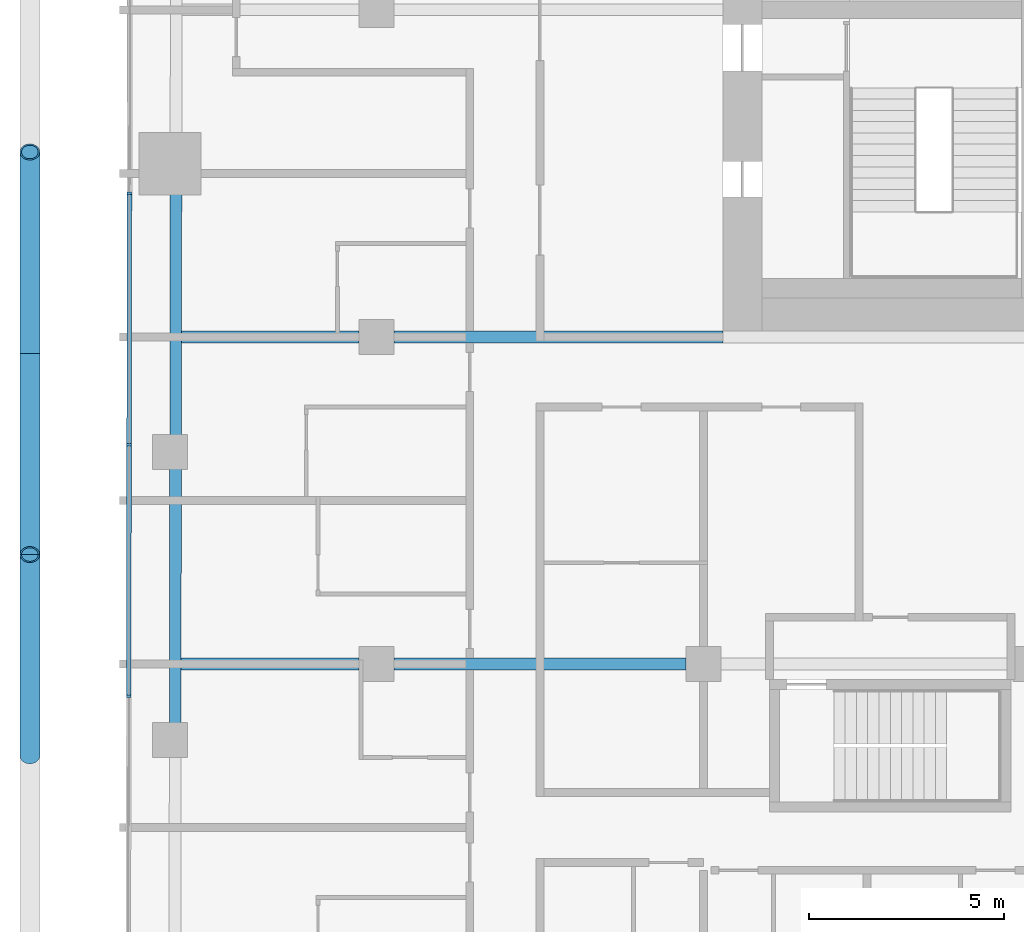
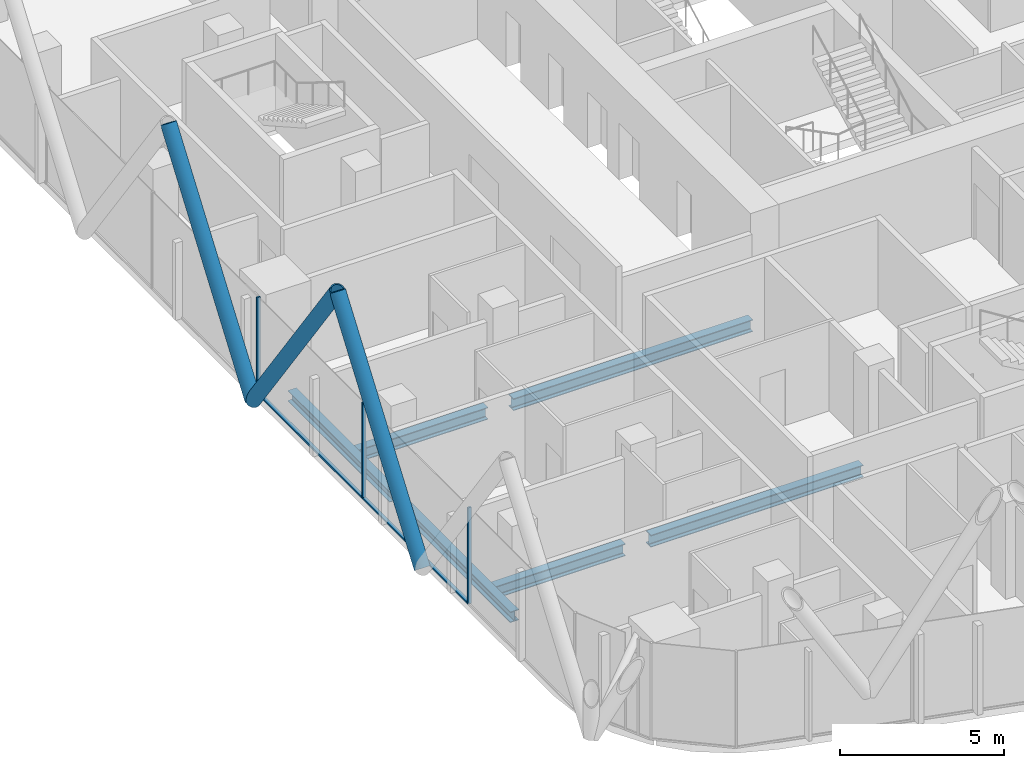
# One storey, part 4 of 33: 8 members, 6 beams, 1 element without a shape of its own.
"""IFC4 building model written with IfcOpenShell, lengths in metres."""

from ifc_helpers import new_model, si_unit, direction, frame, origin, origin_2d, place, context, subcontext, project, spatial, rectangle, hollow_circle, i_section, extrude, material, layer, layer_set, material_profile, profile_set, type_object, element, aggregate, save


model = new_model("IFC4")

# Units and contexts
model_context = context("Model", 3, precision=1e-05, world=origin(), true_north=direction((0.0, 1.0)))
body_context = subcontext(model_context, "Body", "Model", "MODEL_VIEW")
ifc_project = project(units=[si_unit("LENGTHUNIT", "METRE"), si_unit("AREAUNIT", "SQUARE_METRE"), si_unit("VOLUMEUNIT", "CUBIC_METRE"), si_unit("PLANEANGLEUNIT", "RADIAN"), si_unit("MASSUNIT", "GRAM", prefix="KILO")], contexts=[model_context])

# Site, building, storey
site_placement = place(None, origin())
site = spatial("IfcSite", under=ifc_project, at=site_placement, CompositionType="ELEMENT")
building_placement = place(site_placement, origin())
building = spatial("IfcBuilding", under=site, at=building_placement, Name="Marenta Gate Hotel Tower", CompositionType="ELEMENT")
storey_placement = place(building_placement, frame((0.0, 0.0, 108.5)))
storey = spatial("IfcBuildingStorey", under=building, at=storey_placement, Name="L23", CompositionType="ELEMENT", Elevation=108.5)

# Members
ifc_material_1 = material(Name="Steel S355J2W", Category="steel")
ifc_material_profile_1 = material_profile(ifc_material_1, hollow_circle(Radius=0.25390625, WallThickness=0.0400390625, at=origin_2d()), Name="CHS 508x40")
ifc_profile_set_1 = profile_set([ifc_material_profile_1], Name="Steel S355J2W")
member_type_1 = type_object("IfcMemberType", Name="Diagrid diagonal Z2 CHS 508x40", PredefinedType="BRACE", material=ifc_profile_set_1)
for number, where, z_axis, x_axis, name in (
    (1, (-29.89990234375, -10.760009765625, 3.139892578125), (0.0, 0.583247791947, 0.812294289767), (-1.0, 0.0, 0.0), "L23-DG-27"),
    (2, (-29.89990234375, -0.420166015625, 3.139892578125), (0.0, -0.583247791947, 0.812294289767), (1.0, 0.0, 0.0), "L23-DG-28"),
):
    element("IfcMember", number, at=place(storey_placement, frame(where, z_axis=z_axis, x_axis=x_axis)), inside=storey, type_object=member_type_1, Name=name, PredefinedType="BRACE", context=body_context, shape_type="SweptSolid", body=[
        extrude(hollow_circle(Radius=0.25390625, WallThickness=0.0400390625, at=origin_2d()), origin(), (0.0, 0.0, 1.0), 8.864013671875),
    ])
member_1_placement = place(storey_placement, frame((-29.89990234375, -0.420166015625, 3.139892578125), z_axis=(0.0, 0.583265964901, 0.81228124082), x_axis=(-1.0, 0.0, 0.0)))
element("IfcMember", 3, at=member_1_placement, inside=storey, type_object=member_type_1, Name="L23-DG-29", PredefinedType="BRACE", context=body_context, shape_type="SweptSolid", body=[
    extrude(hollow_circle(Radius=0.25390625, WallThickness=0.0400390625, at=origin_2d()), origin(), (0.0, 0.0, 1.0), 8.8642578125),
])

# Beams
ifc_material_2 = material(Name="Steel S355", Category="steel")
ifc_material_profile_2 = material_profile(ifc_material_2, i_section(OverallWidth=0.300048828125, OverallDepth=0.39990234375, WebThickness=0.013427734375, FlangeThickness=0.02392578125, FilletRadius=0.027099609375, at=origin_2d()), Name="HEB 400")
ifc_profile_set_2 = profile_set([ifc_material_profile_2], Name="Steel S355")
beam_type_1 = type_object("IfcBeamType", Name="Edge beam HEB 400", PredefinedType="SPANDREL", material=ifc_profile_set_2)
beam_1_placement = place(storey_placement, frame((-26.167236328125, -9.94189453125, -0.4599609375), z_axis=(0.001372605919, 0.999999057976, 0.0), x_axis=(-0.999999057976, 0.001372605919, 0.0)))
element("IfcBeam", 4, at=beam_1_placement, inside=storey, type_object=beam_type_1, Name="L23-EB-6", PredefinedType="SPANDREL", context=body_context, shape_type="SweptSolid", body=[
    extrude(i_section(OverallWidth=0.300048828125, OverallDepth=0.39990234375, WebThickness=0.013427734375, FlangeThickness=0.02392578125, FilletRadius=0.027099609375, at=origin_2d()), origin(), (0.0, 0.0, 1.0), 6.5810546875),
])
beam_2_placement = place(storey_placement, frame((-26.156982421875, -2.541015625, -0.4599609375), z_axis=(0.001371364591, 0.999999059679, 0.0), x_axis=(-0.999999059679, 0.001371364591, 0.0)))
element("IfcBeam", 5, at=beam_2_placement, inside=storey, type_object=beam_type_1, Name="L23-EB-7", PredefinedType="SPANDREL", context=body_context, shape_type="SweptSolid", body=[
    extrude(i_section(OverallWidth=0.300048828125, OverallDepth=0.39990234375, WebThickness=0.013427734375, FlangeThickness=0.02392578125, FilletRadius=0.027099609375, at=origin_2d()), origin(), (0.0, 0.0, 1.0), 6.23095703125),
])
ifc_material_3 = material(Name="Steel S355", Category="steel")
ifc_material_profile_3 = material_profile(ifc_material_3, i_section(OverallWidth=0.300048828125, OverallDepth=0.449951171875, WebThickness=0.013916015625, FlangeThickness=0.02587890625, FilletRadius=0.027099609375, at=origin_2d()), Name="HEB 450")
ifc_profile_set_3 = profile_set([ifc_material_profile_3], Name="Steel S355")
beam_type_2 = type_object("IfcBeamType", Name="Girder HEB 450", PredefinedType="BEAM", material=ifc_profile_set_3)
beam_3_placement = place(storey_placement, frame((-26.01513671875, -8.39990234375, -0.485107421875), z_axis=(1.0, 0.0, 0.0), x_axis=(0.0, 1.0, 0.0)))
element("IfcBeam", 6, at=beam_3_placement, inside=storey, type_object=beam_type_2, Name="L23-GD-8", PredefinedType="BEAM", context=body_context, shape_type="SweptSolid", body=[
    extrude(i_section(OverallWidth=0.300048828125, OverallDepth=0.449951171875, WebThickness=0.013916015625, FlangeThickness=0.02587890625, FilletRadius=0.027099609375, at=origin_2d()), origin(), (0.0, 0.0, 1.0), 4.565185546875),
])
beam_4_placement = place(storey_placement, frame((-20.550048828125, -8.39990234375, -0.485107421875), z_axis=(1.0, 0.0, 0.0), x_axis=(0.0, 1.0, 0.0)))
element("IfcBeam", 7, at=beam_4_placement, inside=storey, type_object=beam_type_2, Name="L23-GD-9", PredefinedType="BEAM", context=body_context, shape_type="SweptSolid", body=[
    extrude(i_section(OverallWidth=0.300048828125, OverallDepth=0.449951171875, WebThickness=0.013916015625, FlangeThickness=0.02587890625, FilletRadius=0.027099609375, at=origin_2d()), origin(), (0.0, 0.0, 1.0), 7.5),
])
beam_5_placement = place(storey_placement, frame((-26.003662109375, 0.0, -0.485107421875), z_axis=(1.0, 0.0, 0.0), x_axis=(0.0, 1.0, 0.0)))
element("IfcBeam", 8, at=beam_5_placement, inside=storey, type_object=beam_type_2, Name="L23-GD-15", PredefinedType="BEAM", context=body_context, shape_type="SweptSolid", body=[
    extrude(i_section(OverallWidth=0.300048828125, OverallDepth=0.449951171875, WebThickness=0.013916015625, FlangeThickness=0.02587890625, FilletRadius=0.027099609375, at=origin_2d()), origin(), (0.0, 0.0, 1.0), 4.5537109375),
])
beam_6_placement = place(storey_placement, frame((-20.550048828125, 0.0, -0.485107421875), z_axis=(1.0, 0.0, 0.0), x_axis=(0.0, 1.0, 0.0)))
element("IfcBeam", 9, at=beam_6_placement, inside=storey, type_object=beam_type_2, Name="L23-GD-16", PredefinedType="BEAM", context=body_context, shape_type="SweptSolid", body=[
    extrude(i_section(OverallWidth=0.300048828125, OverallDepth=0.449951171875, WebThickness=0.013916015625, FlangeThickness=0.02587890625, FilletRadius=0.027099609375, at=origin_2d()), origin(), (0.0, 0.0, 1.0), 8.449951171875),
])

# Curtain wall, members
ifc_material_4 = material(Name="Tinted insulated glass in bronze anodised frame", Category="glass")
ifc_layer = layer(ifc_material_4, 0.1201171875)
ifc_layer_set = layer_set([ifc_layer], Name="Tinted insulated glass in bronze anodised frame")
curtain_wall_type = type_object("IfcCurtainWallType", Name="Tower unitised curtain wall CW1", PredefinedType="NOTDEFINED", material=ifc_layer_set)
curtain_wall_placement = place(storey_placement, origin())
curtain_wall = element("IfcCurtainWall", 10, at=curtain_wall_placement, inside=storey, type_object=curtain_wall_type, Name="CW1 run G04", PredefinedType="NOTDEFINED")
ifc_material_5 = material(Name="Bronze anodised aluminium", Category="aluminium")
ifc_material_profile_4 = material_profile(ifc_material_5, rectangle(XDim=0.1201171875, YDim=0.06005859375, at=origin_2d()), Name="Mullion CW1 60x120 bronze anodised aluminium")
ifc_profile_set_4 = profile_set([ifc_material_profile_4], Name="Bronze anodised aluminium")
member_type_2 = type_object("IfcMemberType", Name="Mullion CW1 60x120 bronze anodised aluminium", PredefinedType="MULLION", material=ifc_profile_set_4)
member_2_placement = place(storey_placement, frame((-27.342529296875, 3.686279296875, 0.0), z_axis=(0.0, 0.0, 1.0), x_axis=(0.99999877375, -0.001566045546, 0.0)))
member_2 = element("IfcMember", 11, at=member_2_placement, type_object=member_type_2, Name="CW1 mullion 4", PredefinedType="MULLION", context=body_context, shape_type="SweptSolid", body=[
    extrude(rectangle(XDim=0.1201171875, YDim=0.06005859375, at=origin_2d()), origin(), (0.0, 0.0, 1.0), 3.60009765625),
])
member_3_placement = place(storey_placement, frame((-27.352783203125, -2.773681640625, 0.0), z_axis=(0.0, 0.0, 1.0), x_axis=(0.99999877375, -0.001566045546, 0.0)))
member_3 = element("IfcMember", 12, at=member_3_placement, type_object=member_type_2, Name="CW1 mullion 5", PredefinedType="MULLION", context=body_context, shape_type="SweptSolid", body=[
    extrude(rectangle(XDim=0.1201171875, YDim=0.06005859375, at=origin_2d()), origin(), (0.0, 0.0, 1.0), 3.60009765625),
])
member_4_placement = place(storey_placement, frame((-27.36279296875, -9.23388671875, 0.0), z_axis=(0.0, 0.0, 1.0), x_axis=(0.99999877375, -0.001566045546, 0.0)))
member_4 = element("IfcMember", 13, at=member_4_placement, type_object=member_type_2, Name="CW1 mullion 6", PredefinedType="MULLION", context=body_context, shape_type="SweptSolid", body=[
    extrude(rectangle(XDim=0.1201171875, YDim=0.06005859375, at=origin_2d()), origin(), (0.0, 0.0, 1.0), 3.60009765625),
])
ifc_material_6 = material(Name="Bronze anodised aluminium", Category="aluminium")
ifc_material_profile_5 = material_profile(ifc_material_6, rectangle(XDim=0.1201171875, YDim=0.06005859375, at=origin_2d()), Name="Transom CW1 60x120 bronze anodised aluminium")
ifc_profile_set_5 = profile_set([ifc_material_profile_5], Name="Bronze anodised aluminium")
member_type_3 = type_object("IfcMemberType", Name="Transom CW1 60x120 bronze anodised aluminium", PredefinedType="USERDEFINED", material=ifc_profile_set_5)
member_5_placement = place(storey_placement, frame((-27.3427734375, 3.65625, 0.030029296875), z_axis=(-0.001563988169, -0.99999877697, 0.0), x_axis=(0.99999877697, -0.001563988169, 0.0)))
member_5 = element("IfcMember", 14, at=member_5_placement, type_object=member_type_3, Name="CW1 transom 4.1", ObjectType="TRANSOM", PredefinedType="USERDEFINED", context=body_context, shape_type="SweptSolid", body=[
    extrude(rectangle(XDim=0.1201171875, YDim=0.06005859375, at=origin_2d()), origin(), (0.0, 0.0, 1.0), 6.400146484375),
])
member_6_placement = place(storey_placement, frame((-27.352783203125, -2.8037109375, 0.030029296875), z_axis=(-0.001563988169, -0.99999877697, 0.0), x_axis=(0.99999877697, -0.001563988169, 0.0)))
member_6 = element("IfcMember", 15, at=member_6_placement, type_object=member_type_3, Name="CW1 transom 5.1", ObjectType="TRANSOM", PredefinedType="USERDEFINED", context=body_context, shape_type="SweptSolid", body=[
    extrude(rectangle(XDim=0.1201171875, YDim=0.06005859375, at=origin_2d()), origin(), (0.0, 0.0, 1.0), 6.400146484375),
])
aggregate(curtain_wall, [member_2, member_3, member_4, member_5, member_6])

save(model, "model.ifc")
